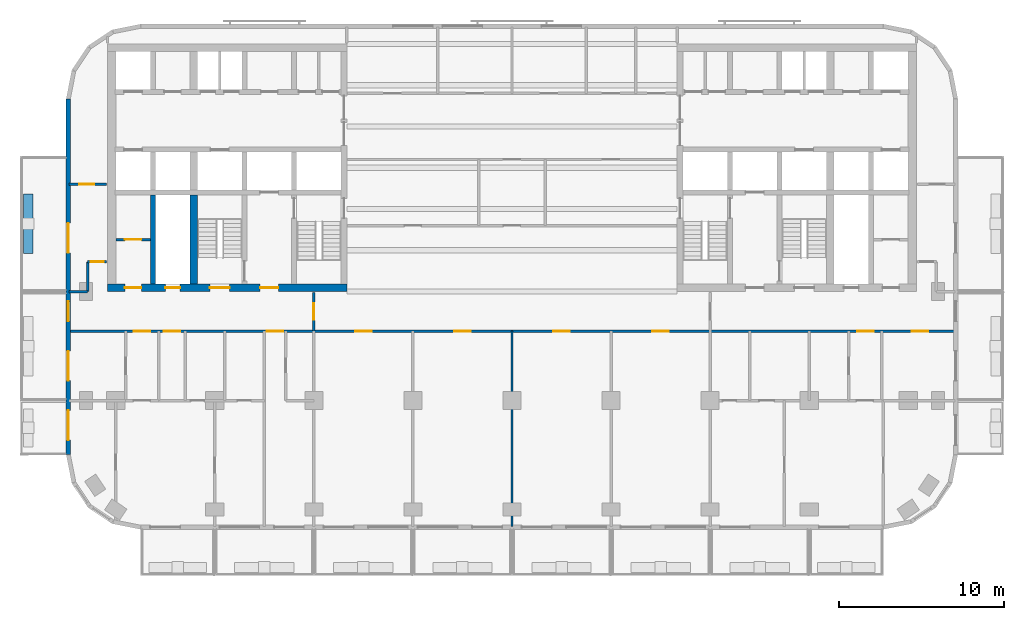
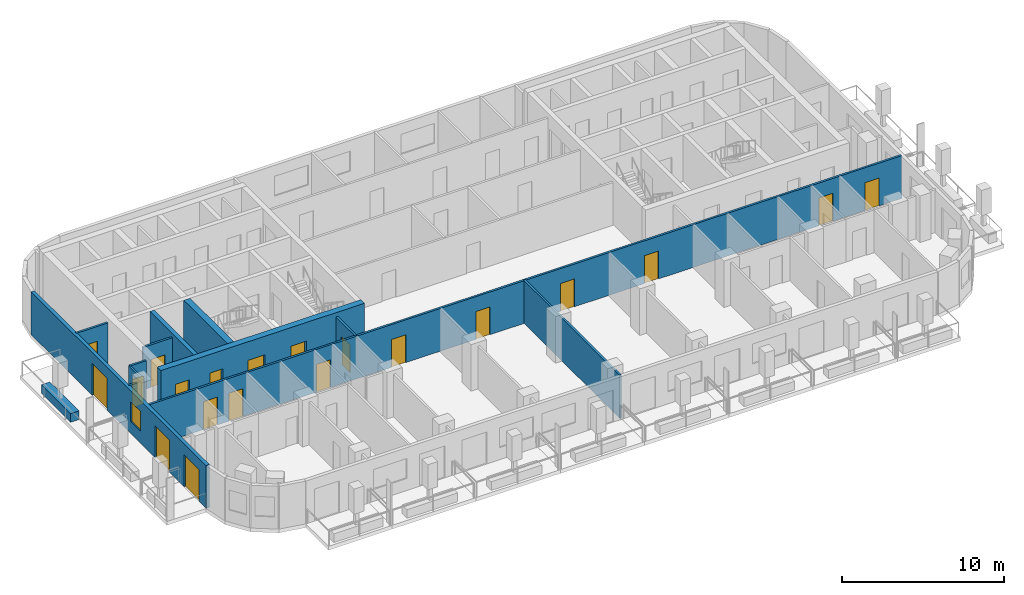
# One storey, part 3 of 11: 20 doors, 13 walls, 1 window, 21 openings.
"""IFC4 building model written with IfcOpenShell, lengths in metres."""

from ifc_helpers import new_model, si_unit, direction, frame, frame_2d, origin, place, context, subcontext, project, spatial, rectangle, extrude, material, layer, layer_set, type_object, element, fill, save


model = new_model("IFC4")

# Units and contexts
model_context = context("Model", 3, precision=1e-05, world=origin(), true_north=direction((0.0, 1.0)))
body_context = subcontext(model_context, "Body", "Model", "MODEL_VIEW")
ifc_project = project(units=[si_unit("LENGTHUNIT", "METRE"), si_unit("AREAUNIT", "SQUARE_METRE"), si_unit("VOLUMEUNIT", "CUBIC_METRE"), si_unit("PLANEANGLEUNIT", "RADIAN"), si_unit("MASSUNIT", "GRAM", prefix="KILO")], contexts=[model_context])

# Site, building, storey
site_placement = place(None, origin())
site = spatial("IfcSite", under=ifc_project, at=site_placement, CompositionType="ELEMENT")
building_placement = place(site_placement, origin())
building = spatial("IfcBuilding", under=site, at=building_placement, Name="Torana Hotel and Residences", CompositionType="ELEMENT")
storey_placement = place(building_placement, frame((0.0, 0.0, 239.60009765625)))
storey = spatial("IfcBuildingStorey", under=building, at=storey_placement, Name="L63", CompositionType="ELEMENT", Elevation=239.60009765625)

# Wall
ifc_material_1 = material(Name="Concrete C70/85", Category="concrete")
ifc_layer_1 = layer(ifc_material_1, 0.300048828125)
ifc_layer_set_1 = layer_set([ifc_layer_1], Name="CORE WALL 300 C70/85")
wall_type_1 = type_object("IfcWallType", Name="CORE WALL 300 C70/85", PredefinedType="SHEAR", material=ifc_layer_set_1)
wall_1_placement = place(storey_placement, frame((-21.75, -14.550048828125, 0.0), z_axis=(0.0, 0.0, 1.0), x_axis=(0.0, 1.0, 0.0)))
element("IfcWall", 1, at=wall_1_placement, inside=storey, type_object=wall_type_1, Name="Core wall W mm-band", PredefinedType="SHEAR", context=body_context, shape_type="SweptSolid", body=[
    extrude(rectangle(XDim=5.400146484375, YDim=0.300048828125, at=frame_2d((2.7001953125, 0.0))), origin(), (0.0, 0.0, 1.0), 3.5),
])

# Wall, openings, doors
ifc_material_2 = material(Name="Concrete C70/85", Category="concrete")
ifc_layer_2 = layer(ifc_material_2, 0.449951171875)
ifc_layer_set_2 = layer_set([ifc_layer_2], Name="CORE WALL 450 C70/85")
wall_type_2 = type_object("IfcWallType", Name="CORE WALL 450 C70/85", PredefinedType="SHEAR", material=ifc_layer_set_2)
wall_2_placement = place(storey_placement, frame((-24.5, -14.77490234375, 0.0), z_axis=(0.0, 0.0, 1.0), x_axis=(1.0, 0.0, 0.0)))
wall_2 = element("IfcWall", 2, at=wall_2_placement, inside=storey, type_object=wall_type_2, Name="Core wall W front", PredefinedType="SHEAR", context=body_context, shape_type="SweptSolid", body=[
    extrude(rectangle(XDim=14.5, YDim=0.449951171875, at=frame_2d((7.25, 0.0))), origin(), (0.0, 0.0, 1.0), 3.5),
])
opening_1_placement = place(wall_2_placement, frame((6.199951171875, 0.0, 0.0)))
opening_1 = element("IfcOpeningElement", 3, at=opening_1_placement, cuts=wall_2, Name="Opening L63-04", PredefinedType="OPENING", context=body_context, shape_type="SweptSolid", body=[
    extrude(rectangle(XDim=1.199951171875, YDim=2.10009765625, at=frame_2d((0.60009765625, 1.050048828125))), frame((0.0, 0.23486328125, 0.0), z_axis=(0.0, -1.0, 0.0), x_axis=(1.0, 0.0, 0.0)), (0.0, 0.0, 1.0), 0.469970703125),
])
opening_2_placement = place(wall_2_placement, frame((9.25, 0.0, 0.0)))
opening_2 = element("IfcOpeningElement", 4, at=opening_2_placement, cuts=wall_2, Name="Opening L63-05", PredefinedType="OPENING", context=body_context, shape_type="SweptSolid", body=[
    extrude(rectangle(XDim=1.10009765625, YDim=2.10009765625, at=frame_2d((0.550048828125, 1.050048828125))), frame((0.0, 0.23486328125, 0.0), z_axis=(0.0, -1.0, 0.0), x_axis=(1.0, 0.0, 0.0)), (0.0, 0.0, 1.0), 0.469970703125),
])
opening_3_placement = place(wall_2_placement, frame((3.5, 0.0, 0.0)))
opening_3 = element("IfcOpeningElement", 5, at=opening_3_placement, cuts=wall_2, Name="Opening L63-06", PredefinedType="OPENING", context=body_context, shape_type="SweptSolid", body=[
    extrude(rectangle(XDim=0.89990234375, YDim=2.10009765625, at=frame_2d((0.449951171875, 1.050048828125))), frame((0.0, 0.23486328125, 0.0), z_axis=(0.0, -1.0, 0.0), x_axis=(1.0, 0.0, 0.0)), (0.0, 0.0, 1.0), 0.469970703125),
])
opening_4_placement = place(wall_2_placement, frame((1.050048828125, 0.0, 0.0)))
opening_4 = element("IfcOpeningElement", 6, at=opening_4_placement, cuts=wall_2, Name="Opening L63-07", PredefinedType="OPENING", context=body_context, shape_type="SweptSolid", body=[
    extrude(rectangle(XDim=1.0, YDim=2.10009765625, at=frame_2d((0.5, 1.050048828125))), frame((0.0, 0.23486328125, 0.0), z_axis=(0.0, -1.0, 0.0), x_axis=(1.0, 0.0, 0.0)), (0.0, 0.0, 1.0), 0.469970703125),
])
ifc_material_3 = material(Name="Steel S235", Category="steel")
door_type_1 = type_object("IfcDoorType", Name="CORE ROOM FIRE DOOR D14 1000x2100", OperationType="SINGLE_SWING_LEFT", PredefinedType="DOOR", material=ifc_material_3)
door_1_placement = place(opening_4_placement, origin())
door_1 = element("IfcDoor", 7, at=door_1_placement, inside=storey, type_object=door_type_1, Name="M-Room-B door L63", OperationType="SINGLE_SWING_RIGHT", OverallHeight=2.10009765625, OverallWidth=1.0, PredefinedType="DOOR", context=body_context, shape_type="SweptSolid", body=[
    extrude(rectangle(XDim=1.0, YDim=2.10009765625, at=frame_2d((0.5, 1.050048828125))), frame((0.0, 0.02490234375, 0.0), z_axis=(0.0, -1.0, 0.0), x_axis=(1.0, 0.0, 0.0)), (0.0, 0.0, 1.0), 0.050048828125),
])
fill(opening_4, door_1)
ifc_material_4 = material(Name="Steel S235", Category="steel")
door_type_2 = type_object("IfcDoorType", Name="FIRE-FIGHTING LOBBY DOOR D8 1100x2100", OperationType="SINGLE_SWING_LEFT", PredefinedType="DOOR", material=ifc_material_4)
door_2_placement = place(opening_2_placement, origin())
door_2 = element("IfcDoor", 8, at=door_2_placement, inside=storey, type_object=door_type_2, Name="FF-lobby door L63", OperationType="SINGLE_SWING_RIGHT", OverallHeight=2.10009765625, OverallWidth=1.10009765625, PredefinedType="DOOR", context=body_context, shape_type="SweptSolid", body=[
    extrude(rectangle(XDim=1.10009765625, YDim=2.10009765625, at=frame_2d((0.550048828125, 1.050048828125))), frame((0.0, 0.02490234375, 0.0), z_axis=(0.0, -1.0, 0.0), x_axis=(1.0, 0.0, 0.0)), (0.0, 0.0, 1.0), 0.050048828125),
])
fill(opening_2, door_2)
ifc_material_5 = material(Name="Steel S235", Category="steel")
door_type_3 = type_object("IfcDoorType", Name="RISER ACCESS DOOR D5 900x2100", OperationType="SINGLE_SWING_LEFT", PredefinedType="DOOR", material=ifc_material_5)
door_3_placement = place(opening_3_placement, origin())
door_3 = element("IfcDoor", 9, at=door_3_placement, inside=storey, type_object=door_type_3, Name="M-Riser door L63", OperationType="SINGLE_SWING_RIGHT", OverallHeight=2.10009765625, OverallWidth=0.89990234375, PredefinedType="DOOR", context=body_context, shape_type="SweptSolid", body=[
    extrude(rectangle(XDim=0.89990234375, YDim=2.10009765625, at=frame_2d((0.449951171875, 1.050048828125))), frame((0.0, 0.02490234375, 0.0), z_axis=(0.0, -1.0, 0.0), x_axis=(1.0, 0.0, 0.0)), (0.0, 0.0, 1.0), 0.050048828125),
])
fill(opening_3, door_3)
ifc_material_6 = material(Name="Steel S235", Category="steel")
door_type_4 = type_object("IfcDoorType", Name="STAIR FIRE DOOR D3 1200x2100", OperationType="SINGLE_SWING_LEFT", PredefinedType="DOOR", material=ifc_material_6)
door_4_placement = place(opening_1_placement, origin())
door_4 = element("IfcDoor", 10, at=door_4_placement, inside=storey, type_object=door_type_4, Name="Stair-B door L63", OperationType="SINGLE_SWING_RIGHT", OverallHeight=2.10009765625, OverallWidth=1.199951171875, PredefinedType="DOOR", context=body_context, shape_type="SweptSolid", body=[
    extrude(rectangle(XDim=1.199951171875, YDim=2.10009765625, at=frame_2d((0.60009765625, 1.050048828125))), frame((0.0, 0.02490234375, 0.0), z_axis=(0.0, -1.0, 0.0), x_axis=(1.0, 0.0, 0.0)), (0.0, 0.0, 1.0), 0.050048828125),
])
fill(opening_1, door_4)

# Wall
wall_3_placement = place(storey_placement, frame((-19.27490234375, -14.550048828125, 0.0), z_axis=(0.0, 0.0, 1.0), x_axis=(0.0, 1.0, 0.0)))
element("IfcWall", 11, at=wall_3_placement, inside=storey, type_object=wall_type_2, Name="Core wall W hm-band", PredefinedType="SHEAR", context=body_context, shape_type="SweptSolid", body=[
    extrude(rectangle(XDim=5.400146484375, YDim=0.449951171875, at=frame_2d((2.7001953125, 0.0))), origin(), (0.0, 0.0, 1.0), 3.5),
])

# Wall, openings, doors, window
ifc_material_7 = material(Name="Black aluminium composite panel", Category="aluminium")
ifc_layer_3 = layer(ifc_material_7, 0.00390625, Name="Cladding", Category="cladding")
ifc_material_8 = material(Name="Ventilated air cavity")
ifc_layer_4 = layer(ifc_material_8, 0.0400390625, Name="Ventilated cavity", Category="cavity")
ifc_material_9 = material(Name="Mineral wool insulation")
ifc_layer_5 = layer(ifc_material_9, 0.090087890625, Name="Insulation", Category="insulation")
ifc_material_10 = material(Name="Steel S280GD", Category="steel")
ifc_layer_6 = layer(ifc_material_10, 0.092041015625, Name="Steel stud frame", Category="structure")
ifc_material_11 = material(Name="Fire rated plasterboard")
ifc_layer_7 = layer(ifc_material_11, 0.011962890625, Name="Inner board", Category="finish")
ifc_layer_8 = layer(ifc_material_11, 0.011962890625, Name="Second board", Category="finish")
ifc_layer_set_3 = layer_set([ifc_layer_3, ifc_layer_4, ifc_layer_5, ifc_layer_6, ifc_layer_7, ifc_layer_8], Name="EW1 EXTERNAL WALL BLACK METAL CLAD 250")
wall_type_3 = type_object("IfcWallType", Name="EW1 EXTERNAL WALL BLACK METAL CLAD 250", PredefinedType="SOLIDWALL", material=ifc_layer_set_3)
wall_4_placement = place(storey_placement, frame((-26.875, -3.32470703125, 0.0), z_axis=(0.0, 0.0, 1.0), x_axis=(0.0, -1.0, 0.0)))
wall_4 = element("IfcWall", 12, at=wall_4_placement, inside=storey, type_object=wall_type_3, Name="External wall L63 e0.9", PredefinedType="SOLIDWALL", context=body_context, shape_type="SweptSolid", body=[
    extrude(rectangle(XDim=21.55078125, YDim=0.25, at=frame_2d((10.775390625, 0.0))), origin(), (0.0, 0.0, 1.0), 3.219970703125),
])
opening_5_placement = place(wall_4_placement, frame((7.525390625, 0.0, 0.0)))
opening_5 = element("IfcOpeningElement", 13, at=opening_5_placement, cuts=wall_4, Name="Opening L63-E12", PredefinedType="OPENING", context=body_context, shape_type="SweptSolid", body=[
    extrude(rectangle(XDim=1.800048828125, YDim=2.39990234375, at=frame_2d((0.89990234375, 1.199951171875))), frame((0.0, 0.135009765625, 0.0), z_axis=(0.0, -1.0, 0.0), x_axis=(1.0, 0.0, 0.0)), (0.0, 0.0, 1.0), 0.27001953125),
])
opening_6_placement = place(wall_4_placement, frame((12.275390625, 0.0, 0.89990234375)))
opening_6 = element("IfcOpeningElement", 14, at=opening_6_placement, cuts=wall_4, Name="Opening W5", PredefinedType="OPENING", context=body_context, shape_type="SweptSolid", body=[
    extrude(rectangle(XDim=1.199951171875, YDim=1.5, at=frame_2d((0.60009765625, 0.75))), frame((0.0, 0.135009765625, 0.0), z_axis=(0.0, -1.0, 0.0), x_axis=(1.0, 0.0, 0.0)), (0.0, 0.0, 1.0), 0.27001953125),
])
opening_7_placement = place(wall_4_placement, frame((15.275390625, 0.0, 0.0)))
opening_7 = element("IfcOpeningElement", 15, at=opening_7_placement, cuts=wall_4, Name="Opening L63-E13", PredefinedType="OPENING", context=body_context, shape_type="SweptSolid", body=[
    extrude(rectangle(XDim=1.800048828125, YDim=2.39990234375, at=frame_2d((0.89990234375, 1.199951171875))), frame((0.0, 0.135009765625, 0.0), z_axis=(0.0, -1.0, 0.0), x_axis=(1.0, 0.0, 0.0)), (0.0, 0.0, 1.0), 0.27001953125),
])
opening_8_placement = place(wall_4_placement, frame((18.87548828125, 0.0, 0.0)))
opening_8 = element("IfcOpeningElement", 16, at=opening_8_placement, cuts=wall_4, Name="Opening L63-E14", PredefinedType="OPENING", context=body_context, shape_type="SweptSolid", body=[
    extrude(rectangle(XDim=1.800048828125, YDim=2.39990234375, at=frame_2d((0.89990234375, 1.199951171875))), frame((0.0, 0.135009765625, 0.0), z_axis=(0.0, -1.0, 0.0), x_axis=(1.0, 0.0, 0.0)), (0.0, 0.0, 1.0), 0.27001953125),
])
ifc_material_12 = material(Name="Dark glass in black aluminium frame", Category="aluminium")
door_type_5 = type_object("IfcDoorType", Name="DB1 BALCONY DOOR 1800x2400", OperationType="DOUBLE_DOOR_SINGLE_SWING", PredefinedType="DOOR", material=ifc_material_12)
door_5_placement = place(opening_5_placement, origin())
door_5 = element("IfcDoor", 17, at=door_5_placement, inside=storey, type_object=door_type_5, Name="Balcony door L63", OperationType="DOUBLE_DOOR_SINGLE_SWING", OverallHeight=2.39990234375, OverallWidth=1.800048828125, PredefinedType="DOOR", context=body_context, shape_type="SweptSolid", body=[
    extrude(rectangle(XDim=1.800048828125, YDim=2.39990234375, at=frame_2d((0.89990234375, 1.199951171875))), frame((0.0, 0.02490234375, 0.0), z_axis=(0.0, -1.0, 0.0), x_axis=(1.0, 0.0, 0.0)), (0.0, 0.0, 1.0), 0.050048828125),
])
fill(opening_5, door_5)
door_6_placement = place(opening_7_placement, origin())
door_6 = element("IfcDoor", 18, at=door_6_placement, inside=storey, type_object=door_type_5, Name="Balcony door L63", OperationType="DOUBLE_DOOR_SINGLE_SWING", OverallHeight=2.39990234375, OverallWidth=1.800048828125, PredefinedType="DOOR", context=body_context, shape_type="SweptSolid", body=[
    extrude(rectangle(XDim=1.800048828125, YDim=2.39990234375, at=frame_2d((0.89990234375, 1.199951171875))), frame((0.0, 0.02490234375, 0.0), z_axis=(0.0, -1.0, 0.0), x_axis=(1.0, 0.0, 0.0)), (0.0, 0.0, 1.0), 0.050048828125),
])
fill(opening_7, door_6)
door_7_placement = place(opening_8_placement, origin())
door_7 = element("IfcDoor", 19, at=door_7_placement, inside=storey, type_object=door_type_5, Name="Balcony door L63", OperationType="DOUBLE_DOOR_SINGLE_SWING", OverallHeight=2.39990234375, OverallWidth=1.800048828125, PredefinedType="DOOR", context=body_context, shape_type="SweptSolid", body=[
    extrude(rectangle(XDim=1.800048828125, YDim=2.39990234375, at=frame_2d((0.89990234375, 1.199951171875))), frame((0.0, 0.02490234375, 0.0), z_axis=(0.0, -1.0, 0.0), x_axis=(1.0, 0.0, 0.0)), (0.0, 0.0, 1.0), 0.050048828125),
])
fill(opening_8, door_7)
ifc_material_13 = material(Name="Dark glass in black aluminium frame", Category="aluminium")
window_type = type_object("IfcWindowType", Name="W5 CORNER FACET WINDOW 1200x1500", PartitioningType="SINGLE_PANEL", PredefinedType="WINDOW", material=ifc_material_13)
window_placement = place(opening_6_placement, origin())
window = element("IfcWindow", 20, at=window_placement, inside=storey, type_object=window_type, Name="Window L63", OverallHeight=1.5, OverallWidth=1.199951171875, PartitioningType="SINGLE_PANEL", PredefinedType="WINDOW", context=body_context, shape_type="SweptSolid", body=[
    extrude(rectangle(XDim=1.199951171875, YDim=1.5, at=frame_2d((0.60009765625, 0.75))), frame((0.0, 0.030029296875, 0.0), z_axis=(0.0, -1.0, 0.0), x_axis=(1.0, 0.0, 0.0)), (0.0, 0.0, 1.0), 0.06005859375),
])
fill(opening_6, window)

# Wall, opening, door
ifc_material_14 = material(Name="Gypsum plaster")
ifc_layer_9 = layer(ifc_material_14, 0.014892578125, Name="Plaster", Category="finish")
ifc_material_15 = material(Name="Concrete blockwork", Category="masonry")
ifc_layer_10 = layer(ifc_material_15, 0.1201171875, Name="Blockwork", Category="structure")
ifc_layer_11 = layer(ifc_material_14, 0.014892578125, Name="Plaster", Category="finish")
ifc_layer_set_4 = layer_set([ifc_layer_9, ifc_layer_10, ifc_layer_11], Name="FIRE PARTITION 150 BLOCKWORK")
wall_type_4 = type_object("IfcWallType", Name="FIRE PARTITION 150 BLOCKWORK", PredefinedType="PARTITIONING", material=ifc_layer_set_4)
wall_5_placement = place(storey_placement, frame((-24.0, -11.85009765625, 0.0), z_axis=(0.0, 0.0, 1.0), x_axis=(1.0, 0.0, 0.0)))
wall_5 = element("IfcWall", 21, at=wall_5_placement, inside=storey, type_object=wall_type_4, Name="Core partition L63", PredefinedType="PARTITIONING", context=body_context, shape_type="SweptSolid", body=[
    extrude(rectangle(XDim=2.10009765625, YDim=0.14990234375, at=frame_2d((1.050048828125, 0.0))), origin(), (0.0, 0.0, 1.0), 3.199951171875),
])
opening_9_placement = place(wall_5_placement, frame((0.550048828125, 0.0, 0.0)))
opening_9 = element("IfcOpeningElement", 22, at=opening_9_placement, cuts=wall_5, Name="Opening L63-31", PredefinedType="OPENING", context=body_context, shape_type="SweptSolid", body=[
    extrude(rectangle(XDim=1.0, YDim=2.10009765625, at=frame_2d((0.5, 1.050048828125))), frame((0.0, 0.0849609375, 0.0), z_axis=(0.0, -1.0, 0.0), x_axis=(1.0, 0.0, 0.0)), (0.0, 0.0, 1.0), 0.169921875),
])
door_8_placement = place(opening_9_placement, origin())
door_8 = element("IfcDoor", 23, at=door_8_placement, inside=storey, type_object=door_type_1, Name="Plant room door L63", OperationType="SINGLE_SWING_RIGHT", OverallHeight=2.10009765625, OverallWidth=1.0, PredefinedType="DOOR", context=body_context, shape_type="SweptSolid", body=[
    extrude(rectangle(XDim=1.0, YDim=2.10009765625, at=frame_2d((0.5, 1.050048828125))), frame((0.0, 0.02490234375, 0.0), z_axis=(0.0, -1.0, 0.0), x_axis=(1.0, 0.0, 0.0)), (0.0, 0.0, 1.0), 0.050048828125),
])
fill(opening_9, door_8)

wall_6_placement = place(storey_placement, frame((-12.0, -17.39990234375, 0.0), z_axis=(0.0, 0.0, 1.0), x_axis=(0.0, 1.0, 0.0)))
wall_6 = element("IfcWall", 24, at=wall_6_placement, inside=storey, type_object=wall_type_4, Name="Partition L63", PredefinedType="PARTITIONING", context=body_context, shape_type="SweptSolid", body=[
    extrude(rectangle(XDim=2.349853515625, YDim=0.14990234375, at=frame_2d((1.1748046875, 0.0))), origin(), (0.0, 0.0, 1.0), 3.219970703125),
])
opening_10_placement = place(wall_6_placement, frame((0.699951171875, 0.0, 0.0)))
opening_10 = element("IfcOpeningElement", 25, at=opening_10_placement, cuts=wall_6, Name="Opening L63-33", PredefinedType="OPENING", context=body_context, shape_type="SweptSolid", body=[
    extrude(rectangle(XDim=1.0, YDim=2.10009765625, at=frame_2d((0.5, 1.050048828125))), frame((0.0, 0.0849609375, 0.0), z_axis=(0.0, -1.0, 0.0), x_axis=(1.0, 0.0, 0.0)), (0.0, 0.0, 1.0), 0.169921875),
])
ifc_material_16 = material(Name="Steel S235", Category="steel")
door_type_6 = type_object("IfcDoorType", Name="ENTRY FIRE DOOR D6 1000x2100", OperationType="SINGLE_SWING_LEFT", PredefinedType="DOOR", material=ifc_material_16)
door_9_placement = place(opening_10_placement, origin())
door_9 = element("IfcDoor", 26, at=door_9_placement, inside=storey, type_object=door_type_6, Name="Door L63", OperationType="SINGLE_SWING_RIGHT", OverallHeight=2.10009765625, OverallWidth=1.0, PredefinedType="DOOR", context=body_context, shape_type="SweptSolid", body=[
    extrude(rectangle(XDim=1.0, YDim=2.10009765625, at=frame_2d((0.5, 1.050048828125))), frame((0.0, 0.02490234375, 0.0), z_axis=(0.0, -1.0, 0.0), x_axis=(1.0, 0.0, 0.0)), (0.0, 0.0, 1.0), 0.050048828125),
])
fill(opening_10, door_9)

# Wall
wall_7_placement = place(storey_placement, frame((-25.699951171875, -15.0, 0.0), z_axis=(0.0, 0.0, 1.0), x_axis=(0.0, 1.0, 0.0)))
element("IfcWall", 27, at=wall_7_placement, inside=storey, type_object=wall_type_4, Name="Partition L63", PredefinedType="PARTITIONING", context=body_context, shape_type="SweptSolid", body=[
    extrude(rectangle(XDim=1.800048828125, YDim=0.14990234375, at=frame_2d((0.89990234375, 0.0))), origin(), (0.0, 0.0, 1.0), 3.219970703125),
])

# Wall, openings, doors
wall_8_placement = place(storey_placement, frame((-26.820068359375, -17.39990234375, 0.0), z_axis=(0.0, 0.0, 1.0), x_axis=(1.0, 0.0, 0.0)))
wall_8 = element("IfcWall", 28, at=wall_8_placement, inside=storey, type_object=wall_type_4, Name="Partition L63", PredefinedType="PARTITIONING", context=body_context, shape_type="SweptSolid", body=[
    extrude(rectangle(XDim=53.64013671875, YDim=0.14990234375, at=frame_2d((26.820068359375, 0.0))), origin(), (0.0, 0.0, 1.0), 3.219970703125),
])
opening_11_placement = place(wall_8_placement, frame((11.969970703125, 0.0, 0.0)))
opening_11 = element("IfcOpeningElement", 29, at=opening_11_placement, cuts=wall_8, Name="Opening L63-34", PredefinedType="OPENING", context=body_context, shape_type="SweptSolid", body=[
    extrude(rectangle(XDim=1.0, YDim=2.10009765625, at=frame_2d((0.5, 1.050048828125))), frame((0.0, 0.0849609375, 0.0), z_axis=(0.0, -1.0, 0.0), x_axis=(1.0, 0.0, 0.0)), (0.0, 0.0, 1.0), 0.169921875),
])
opening_12_placement = place(wall_8_placement, frame((3.919921875, 0.0, 0.0)))
opening_12 = element("IfcOpeningElement", 30, at=opening_12_placement, cuts=wall_8, Name="Opening L63-35", PredefinedType="OPENING", context=body_context, shape_type="SweptSolid", body=[
    extrude(rectangle(XDim=1.0, YDim=2.10009765625, at=frame_2d((0.5, 1.050048828125))), frame((0.0, 0.0849609375, 0.0), z_axis=(0.0, -1.0, 0.0), x_axis=(1.0, 0.0, 0.0)), (0.0, 0.0, 1.0), 0.169921875),
])
opening_13_placement = place(wall_8_placement, frame((5.719970703125, 0.0, 0.0)))
opening_13 = element("IfcOpeningElement", 31, at=opening_13_placement, cuts=wall_8, Name="Opening L63-36", PredefinedType="OPENING", context=body_context, shape_type="SweptSolid", body=[
    extrude(rectangle(XDim=1.0, YDim=2.10009765625, at=frame_2d((0.5, 1.050048828125))), frame((0.0, 0.0849609375, 0.0), z_axis=(0.0, -1.0, 0.0), x_axis=(1.0, 0.0, 0.0)), (0.0, 0.0, 1.0), 0.169921875),
])
opening_14_placement = place(wall_8_placement, frame((47.719970703125, 0.0, 0.0)))
opening_14 = element("IfcOpeningElement", 32, at=opening_14_placement, cuts=wall_8, Name="Opening L63-39", PredefinedType="OPENING", context=body_context, shape_type="SweptSolid", body=[
    extrude(rectangle(XDim=1.0, YDim=2.10009765625, at=frame_2d((0.5, 1.050048828125))), frame((0.0, 0.0849609375, 0.0), z_axis=(0.0, -1.0, 0.0), x_axis=(1.0, 0.0, 0.0)), (0.0, 0.0, 1.0), 0.169921875),
])
opening_15_placement = place(wall_8_placement, frame((51.02001953125, 0.0, 0.0)))
opening_15 = element("IfcOpeningElement", 33, at=opening_15_placement, cuts=wall_8, Name="Opening L63-40", PredefinedType="OPENING", context=body_context, shape_type="SweptSolid", body=[
    extrude(rectangle(XDim=1.0, YDim=2.10009765625, at=frame_2d((0.5, 1.050048828125))), frame((0.0, 0.0849609375, 0.0), z_axis=(0.0, -1.0, 0.0), x_axis=(1.0, 0.0, 0.0)), (0.0, 0.0, 1.0), 0.169921875),
])
opening_16_placement = place(wall_8_placement, frame((17.320068359375, 0.0, 0.0)))
opening_16 = element("IfcOpeningElement", 34, at=opening_16_placement, cuts=wall_8, Name="Opening L63-43", PredefinedType="OPENING", context=body_context, shape_type="SweptSolid", body=[
    extrude(rectangle(XDim=1.0, YDim=2.10009765625, at=frame_2d((0.5, 1.050048828125))), frame((0.0, 0.0849609375, 0.0), z_axis=(0.0, -1.0, 0.0), x_axis=(1.0, 0.0, 0.0)), (0.0, 0.0, 1.0), 0.169921875),
])
opening_17_placement = place(wall_8_placement, frame((23.320068359375, 0.0, 0.0)))
opening_17 = element("IfcOpeningElement", 35, at=opening_17_placement, cuts=wall_8, Name="Opening L63-44", PredefinedType="OPENING", context=body_context, shape_type="SweptSolid", body=[
    extrude(rectangle(XDim=1.0, YDim=2.10009765625, at=frame_2d((0.5, 1.050048828125))), frame((0.0, 0.0849609375, 0.0), z_axis=(0.0, -1.0, 0.0), x_axis=(1.0, 0.0, 0.0)), (0.0, 0.0, 1.0), 0.169921875),
])
opening_18_placement = place(wall_8_placement, frame((29.320068359375, 0.0, 0.0)))
opening_18 = element("IfcOpeningElement", 36, at=opening_18_placement, cuts=wall_8, Name="Opening L63-45", PredefinedType="OPENING", context=body_context, shape_type="SweptSolid", body=[
    extrude(rectangle(XDim=1.0, YDim=2.10009765625, at=frame_2d((0.5, 1.050048828125))), frame((0.0, 0.0849609375, 0.0), z_axis=(0.0, -1.0, 0.0), x_axis=(1.0, 0.0, 0.0)), (0.0, 0.0, 1.0), 0.169921875),
])
opening_19_placement = place(wall_8_placement, frame((35.320068359375, 0.0, 0.0)))
opening_19 = element("IfcOpeningElement", 37, at=opening_19_placement, cuts=wall_8, Name="Opening L63-46", PredefinedType="OPENING", context=body_context, shape_type="SweptSolid", body=[
    extrude(rectangle(XDim=1.0, YDim=2.10009765625, at=frame_2d((0.5, 1.050048828125))), frame((0.0, 0.0849609375, 0.0), z_axis=(0.0, -1.0, 0.0), x_axis=(1.0, 0.0, 0.0)), (0.0, 0.0, 1.0), 0.169921875),
])
door_10_placement = place(opening_11_placement, frame((0.5, 0.0, 0.0), z_axis=(0.0, 0.0, 1.0), x_axis=(-1.0, 0.0, 0.0)))
door_10 = element("IfcDoor", 38, at=door_10_placement, inside=storey, type_object=door_type_6, Name="Door L63", OperationType="SINGLE_SWING_LEFT", OverallHeight=2.10009765625, OverallWidth=1.0, PredefinedType="DOOR", context=body_context, shape_type="SweptSolid", body=[
    extrude(rectangle(XDim=1.0, YDim=2.10009765625, at=frame_2d((0.0, 1.050048828125))), frame((0.0, -0.02490234375, 0.0), z_axis=(0.0, 1.0, 0.0), x_axis=(-1.0, 0.0, 0.0)), (0.0, 0.0, 1.0), 0.050048828125),
])
fill(opening_11, door_10)
door_11_placement = place(opening_12_placement, origin())
door_11 = element("IfcDoor", 39, at=door_11_placement, inside=storey, type_object=door_type_6, Name="Door L63", OperationType="SINGLE_SWING_RIGHT", OverallHeight=2.10009765625, OverallWidth=1.0, PredefinedType="DOOR", context=body_context, shape_type="SweptSolid", body=[
    extrude(rectangle(XDim=1.0, YDim=2.10009765625, at=frame_2d((0.5, 1.050048828125))), frame((0.0, 0.02490234375, 0.0), z_axis=(0.0, -1.0, 0.0), x_axis=(1.0, 0.0, 0.0)), (0.0, 0.0, 1.0), 0.050048828125),
])
fill(opening_12, door_11)
door_12_placement = place(opening_13_placement, frame((0.5, 0.0, 0.0), z_axis=(0.0, 0.0, 1.0), x_axis=(-1.0, 0.0, 0.0)))
door_12 = element("IfcDoor", 40, at=door_12_placement, inside=storey, type_object=door_type_6, Name="Door L63", OperationType="SINGLE_SWING_LEFT", OverallHeight=2.10009765625, OverallWidth=1.0, PredefinedType="DOOR", context=body_context, shape_type="SweptSolid", body=[
    extrude(rectangle(XDim=1.0, YDim=2.10009765625, at=frame_2d((0.0, 1.050048828125))), frame((0.0, -0.02490234375, 0.0), z_axis=(0.0, 1.0, 0.0), x_axis=(-1.0, 0.0, 0.0)), (0.0, 0.0, 1.0), 0.050048828125),
])
fill(opening_13, door_12)
door_13_placement = place(opening_14_placement, origin())
door_13 = element("IfcDoor", 41, at=door_13_placement, inside=storey, type_object=door_type_6, Name="Door L63", OperationType="SINGLE_SWING_RIGHT", OverallHeight=2.10009765625, OverallWidth=1.0, PredefinedType="DOOR", context=body_context, shape_type="SweptSolid", body=[
    extrude(rectangle(XDim=1.0, YDim=2.10009765625, at=frame_2d((0.5, 1.050048828125))), frame((0.0, 0.02490234375, 0.0), z_axis=(0.0, -1.0, 0.0), x_axis=(1.0, 0.0, 0.0)), (0.0, 0.0, 1.0), 0.050048828125),
])
fill(opening_14, door_13)
door_14_placement = place(opening_15_placement, frame((0.5, 0.0, 0.0), z_axis=(0.0, 0.0, 1.0), x_axis=(-1.0, 0.0, 0.0)))
door_14 = element("IfcDoor", 42, at=door_14_placement, inside=storey, type_object=door_type_6, Name="Door L63", OperationType="SINGLE_SWING_LEFT", OverallHeight=2.10009765625, OverallWidth=1.0, PredefinedType="DOOR", context=body_context, shape_type="SweptSolid", body=[
    extrude(rectangle(XDim=1.0, YDim=2.10009765625, at=frame_2d((0.0, 1.050048828125))), frame((0.0, -0.02490234375, 0.0), z_axis=(0.0, 1.0, 0.0), x_axis=(-1.0, 0.0, 0.0)), (0.0, 0.0, 1.0), 0.050048828125),
])
fill(opening_15, door_14)
door_15_placement = place(opening_16_placement, frame((0.5, 0.0, 0.0), z_axis=(0.0, 0.0, 1.0), x_axis=(-1.0, 0.0, 0.0)))
door_15 = element("IfcDoor", 43, at=door_15_placement, inside=storey, type_object=door_type_6, Name="Door L63", OperationType="SINGLE_SWING_LEFT", OverallHeight=2.10009765625, OverallWidth=1.0, PredefinedType="DOOR", context=body_context, shape_type="SweptSolid", body=[
    extrude(rectangle(XDim=1.0, YDim=2.10009765625, at=frame_2d((0.0, 1.050048828125))), frame((0.0, -0.02490234375, 0.0), z_axis=(0.0, 1.0, 0.0), x_axis=(-1.0, 0.0, 0.0)), (0.0, 0.0, 1.0), 0.050048828125),
])
fill(opening_16, door_15)
door_16_placement = place(opening_17_placement, frame((0.5, 0.0, 0.0), z_axis=(0.0, 0.0, 1.0), x_axis=(-1.0, 0.0, 0.0)))
door_16 = element("IfcDoor", 44, at=door_16_placement, inside=storey, type_object=door_type_6, Name="Door L63", OperationType="SINGLE_SWING_LEFT", OverallHeight=2.10009765625, OverallWidth=1.0, PredefinedType="DOOR", context=body_context, shape_type="SweptSolid", body=[
    extrude(rectangle(XDim=1.0, YDim=2.10009765625, at=frame_2d((0.0, 1.050048828125))), frame((0.0, -0.02490234375, 0.0), z_axis=(0.0, 1.0, 0.0), x_axis=(-1.0, 0.0, 0.0)), (0.0, 0.0, 1.0), 0.050048828125),
])
fill(opening_17, door_16)
door_17_placement = place(opening_18_placement, frame((0.5, 0.0, 0.0), z_axis=(0.0, 0.0, 1.0), x_axis=(-1.0, 0.0, 0.0)))
door_17 = element("IfcDoor", 45, at=door_17_placement, inside=storey, type_object=door_type_6, Name="Door L63", OperationType="SINGLE_SWING_LEFT", OverallHeight=2.10009765625, OverallWidth=1.0, PredefinedType="DOOR", context=body_context, shape_type="SweptSolid", body=[
    extrude(rectangle(XDim=1.0, YDim=2.10009765625, at=frame_2d((0.0, 1.050048828125))), frame((0.0, -0.02490234375, 0.0), z_axis=(0.0, 1.0, 0.0), x_axis=(-1.0, 0.0, 0.0)), (0.0, 0.0, 1.0), 0.050048828125),
])
fill(opening_18, door_17)
door_18_placement = place(opening_19_placement, frame((0.5, 0.0, 0.0), z_axis=(0.0, 0.0, 1.0), x_axis=(-1.0, 0.0, 0.0)))
door_18 = element("IfcDoor", 46, at=door_18_placement, inside=storey, type_object=door_type_6, Name="Door L63", OperationType="SINGLE_SWING_LEFT", OverallHeight=2.10009765625, OverallWidth=1.0, PredefinedType="DOOR", context=body_context, shape_type="SweptSolid", body=[
    extrude(rectangle(XDim=1.0, YDim=2.10009765625, at=frame_2d((0.0, 1.050048828125))), frame((0.0, -0.02490234375, 0.0), z_axis=(0.0, 1.0, 0.0), x_axis=(-1.0, 0.0, 0.0)), (0.0, 0.0, 1.0), 0.050048828125),
])
fill(opening_19, door_18)

# Wall
wall_9_placement = place(storey_placement, frame((-26.820068359375, -15.0, 0.0), z_axis=(0.0, 0.0, 1.0), x_axis=(1.0, 0.0, 0.0)))
element("IfcWall", 47, at=wall_9_placement, inside=storey, type_object=wall_type_4, Name="Partition L63", PredefinedType="PARTITIONING", context=body_context, shape_type="SweptSolid", body=[
    extrude(rectangle(XDim=1.1201171875, YDim=0.14990234375, at=frame_2d((0.56005859375, 0.0))), origin(), (0.0, 0.0, 1.0), 3.219970703125),
])

# Wall, opening, door
wall_10_placement = place(storey_placement, frame((-25.699951171875, -13.199951171875, 0.0), z_axis=(0.0, 0.0, 1.0), x_axis=(1.0, 0.0, 0.0)))
wall_10 = element("IfcWall", 48, at=wall_10_placement, inside=storey, type_object=wall_type_4, Name="Partition L63", PredefinedType="PARTITIONING", context=body_context, shape_type="SweptSolid", body=[
    extrude(rectangle(XDim=1.14990234375, YDim=0.14990234375, at=frame_2d((0.574951171875, 0.0))), origin(), (0.0, 0.0, 1.0), 3.219970703125),
])
opening_20_placement = place(wall_10_placement, frame((0.175048828125, 0.0, 0.0)))
opening_20 = element("IfcOpeningElement", 49, at=opening_20_placement, cuts=wall_10, Name="Opening L63-37", PredefinedType="OPENING", context=body_context, shape_type="SweptSolid", body=[
    extrude(rectangle(XDim=0.800048828125, YDim=2.10009765625, at=frame_2d((0.39990234375, 1.050048828125))), frame((0.0, 0.0849609375, 0.0), z_axis=(0.0, -1.0, 0.0), x_axis=(1.0, 0.0, 0.0)), (0.0, 0.0, 1.0), 0.169921875),
])
ifc_material_17 = material(Name="Steel S235", Category="steel")
door_type_7 = type_object("IfcDoorType", Name="STORE FIRE DOOR D16 800x2100", OperationType="SINGLE_SWING_LEFT", PredefinedType="DOOR", material=ifc_material_17)
door_19_placement = place(opening_20_placement, origin())
door_19 = element("IfcDoor", 50, at=door_19_placement, inside=storey, type_object=door_type_7, Name="Door L63", OperationType="SINGLE_SWING_LEFT", OverallHeight=2.10009765625, OverallWidth=0.800048828125, PredefinedType="DOOR", context=body_context, shape_type="SweptSolid", body=[
    extrude(rectangle(XDim=0.800048828125, YDim=2.10009765625, at=frame_2d((0.39990234375, 1.050048828125))), frame((0.0, 0.02490234375, 0.0), z_axis=(0.0, -1.0, 0.0), x_axis=(1.0, 0.0, 0.0)), (0.0, 0.0, 1.0), 0.050048828125),
])
fill(opening_20, door_19)

# Wall
ifc_material_18 = material(Name="Gypsum plasterboard")
ifc_layer_12 = layer(ifc_material_18, 0.012451171875, Name="Plasterboard", Category="finish")
ifc_layer_13 = layer(ifc_material_18, 0.012451171875, Name="Plasterboard", Category="finish")
ifc_layer_14 = layer(ifc_material_10, 0.10009765625, Name="Steel studs with mineral wool", Category="insulation")
ifc_layer_15 = layer(ifc_material_18, 0.012451171875, Name="Plasterboard", Category="finish")
ifc_layer_16 = layer(ifc_material_18, 0.012451171875, Name="Plasterboard", Category="finish")
ifc_layer_set_5 = layer_set([ifc_layer_12, ifc_layer_13, ifc_layer_14, ifc_layer_15, ifc_layer_16], Name="PARTITION 150 PLASTERBOARD")
wall_type_5 = type_object("IfcWallType", Name="PARTITION 150 PLASTERBOARD", PredefinedType="PARTITIONING", material=ifc_layer_set_5)
wall_11_placement = place(storey_placement, frame((0.0, -29.219970703125, 0.0), z_axis=(0.0, 0.0, 1.0), x_axis=(0.0, 1.0, 0.0)))
element("IfcWall", 51, at=wall_11_placement, inside=storey, type_object=wall_type_5, Name="Partition L63", PredefinedType="PARTITIONING", context=body_context, shape_type="SweptSolid", body=[
    extrude(rectangle(XDim=11.820068359375, YDim=0.14990234375, at=frame_2d((5.91015625, 0.0))), origin(), (0.0, 0.0, 1.0), 3.219970703125),
])

# Wall, opening, door
wall_12_placement = place(storey_placement, frame((-26.820068359375, -8.5, 0.0), z_axis=(0.0, 0.0, 1.0), x_axis=(1.0, 0.0, 0.0)))
wall_12 = element("IfcWall", 52, at=wall_12_placement, inside=storey, type_object=wall_type_5, Name="Partition L63", PredefinedType="PARTITIONING", context=body_context, shape_type="SweptSolid", body=[
    extrude(rectangle(XDim=2.27001953125, YDim=0.14990234375, at=frame_2d((1.135009765625, 0.0))), origin(), (0.0, 0.0, 1.0), 3.219970703125),
])
opening_21_placement = place(wall_12_placement, frame((0.6201171875, 0.0, 0.0)))
opening_21 = element("IfcOpeningElement", 53, at=opening_21_placement, cuts=wall_12, Name="Opening L63-68", PredefinedType="OPENING", context=body_context, shape_type="SweptSolid", body=[
    extrude(rectangle(XDim=0.89990234375, YDim=2.10009765625, at=frame_2d((0.449951171875, 1.050048828125))), frame((0.0, 0.0849609375, 0.0), z_axis=(0.0, -1.0, 0.0), x_axis=(1.0, 0.0, 0.0)), (0.0, 0.0, 1.0), 0.169921875),
])
ifc_material_19 = material(Name="Timber door, oiled ash", Category="wood")
door_type_8 = type_object("IfcDoorType", Name="ROOM DOOR D7 900x2100", OperationType="SINGLE_SWING_LEFT", PredefinedType="DOOR", material=ifc_material_19)
door_20_placement = place(opening_21_placement, origin())
door_20 = element("IfcDoor", 54, at=door_20_placement, inside=storey, type_object=door_type_8, Name="Door L63", OperationType="SINGLE_SWING_RIGHT", OverallHeight=2.10009765625, OverallWidth=0.89990234375, PredefinedType="DOOR", context=body_context, shape_type="SweptSolid", body=[
    extrude(rectangle(XDim=0.89990234375, YDim=2.10009765625, at=frame_2d((0.449951171875, 1.050048828125))), frame((0.0, 0.02490234375, 0.0), z_axis=(0.0, -1.0, 0.0), x_axis=(1.0, 0.0, 0.0)), (0.0, 0.0, 1.0), 0.050048828125),
])
fill(opening_21, door_20)

# Wall
ifc_material_20 = material(Name="Concrete C40/50 precast", Category="concrete")
ifc_layer_17 = layer(ifc_material_20, 0.10009765625, Name="Planter shell", Category="structure")
ifc_material_21 = material(Name="Root resistant membrane")
ifc_layer_18 = layer(ifc_material_21, 0.00390625, Name="Waterproofing membrane", Category="membrane")
ifc_material_22 = material(Name="Drainage board with filter fleece")
ifc_layer_19 = layer(ifc_material_22, 0.02001953125, Name="Drainage board", Category="drainage")
ifc_material_23 = material(Name="Growing medium")
ifc_layer_20 = layer(ifc_material_23, 0.47607421875, Name="Planting substrate", Category="soil")
ifc_layer_set_6 = layer_set([ifc_layer_17, ifc_layer_18, ifc_layer_19, ifc_layer_20], Name="PL1 BALCONY PLANTER 600")
wall_type_6 = type_object("IfcWallType", Name="PL1 BALCONY PLANTER 600", PredefinedType="USERDEFINED", material=ifc_layer_set_6)
wall_13_placement = place(storey_placement, frame((-29.300048828125, -12.699951171875, 0.0), z_axis=(0.0, 0.0, 1.0), x_axis=(0.0, 1.0, 0.0)))
element("IfcWall", 55, at=wall_13_placement, inside=storey, type_object=wall_type_6, Name="Planter 11", ObjectType="PLANTER", PredefinedType="USERDEFINED", context=body_context, shape_type="SweptSolid", body=[
    extrude(rectangle(XDim=3.599853515625, YDim=0.60009765625, at=frame_2d((1.7998046875, 0.0))), origin(), (0.0, 0.0, 1.0), 0.64990234375),
])

save(model, "model.ifc")
